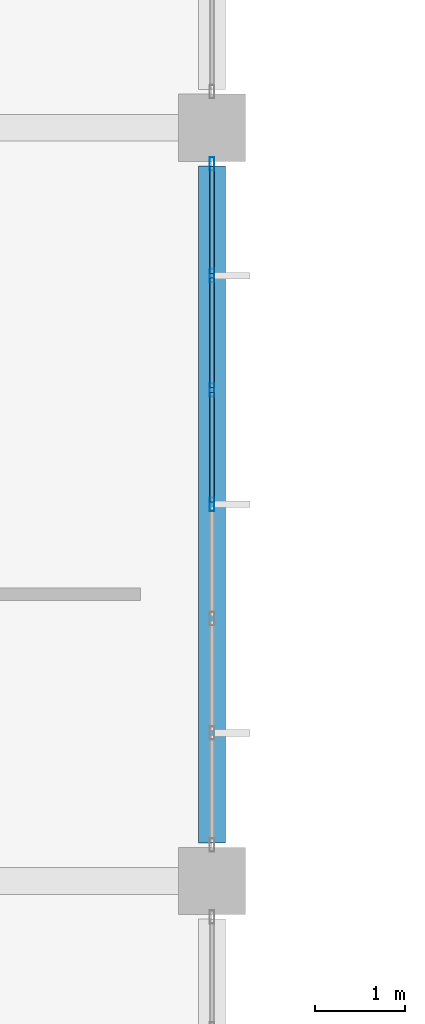
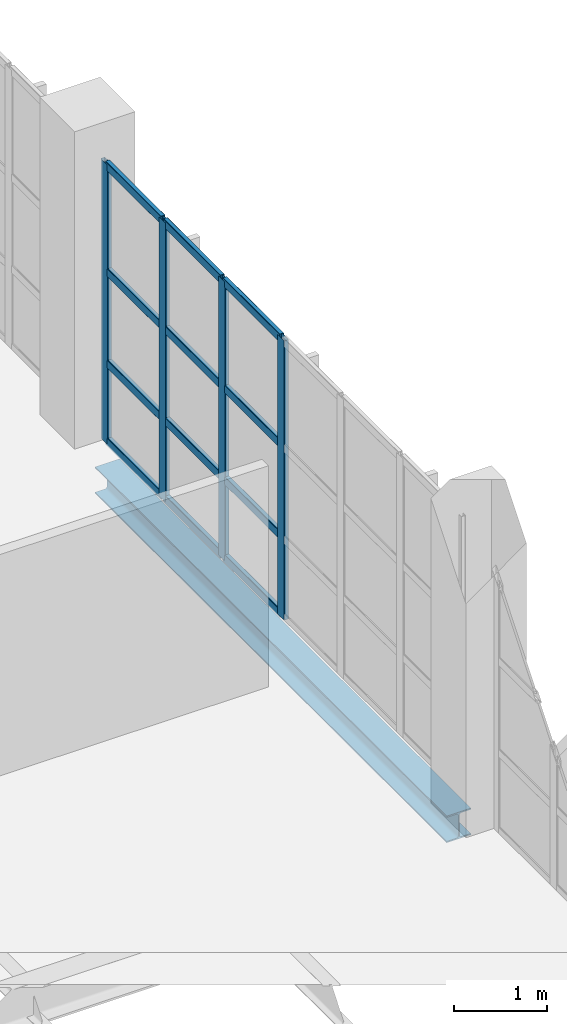
# One storey, part 35 of 177: 16 members, 1 beam, 1 element without a shape of its own.
"""IFC4 building model written with IfcOpenShell, lengths in metres."""

from ifc_helpers import new_model, si_unit, direction, frame, origin, origin_2d, place, context, subcontext, project, spatial, hollow_rectangle, i_section, extrude, material, layer, layer_set, material_profile, profile_set, type_object, element, aggregate, save


model = new_model("IFC4")

# Units and contexts
model_context = context("Model", 3, precision=1e-05, world=origin(), true_north=direction((0.0, 1.0)))
body_context = subcontext(model_context, "Body", "Model", "MODEL_VIEW")
ifc_project = project(units=[si_unit("LENGTHUNIT", "METRE"), si_unit("AREAUNIT", "SQUARE_METRE"), si_unit("VOLUMEUNIT", "CUBIC_METRE"), si_unit("PLANEANGLEUNIT", "RADIAN"), si_unit("MASSUNIT", "GRAM", prefix="KILO"), si_unit("THERMODYNAMICTEMPERATUREUNIT", "KELVIN"), si_unit("POWERUNIT", "WATT")], contexts=[model_context])

# Site, building, storey
site_placement = place(None, origin())
site = spatial("IfcSite", under=ifc_project, at=site_placement, CompositionType="ELEMENT")
building_placement = place(site_placement, origin())
building = spatial("IfcBuilding", under=site, at=building_placement, Name="Mavoryth Pier Ferry Terminal", CompositionType="ELEMENT")
storey_placement = place(building_placement, frame((0.0, 0.0, 5.43994140625)))
storey = spatial("IfcBuildingStorey", under=building, at=storey_placement, Name="L01", CompositionType="ELEMENT", Elevation=5.43994140625)

# Curtain wall, members
ifc_material_1 = material(Name="Anodised Aluminium and Solar-Control Low-E Glass", Category="aluminium")
ifc_layer = layer(ifc_material_1, 0.199951171875, Name="Anodised Aluminium and Solar-Control Low-E Glass", Category="aluminium")
ifc_layer_set = layer_set([ifc_layer], Name="Anodised Aluminium and Solar-Control Low-E Glass - CW-Concourse-Mod1200")
curtain_wall_type = type_object("IfcCurtainWallType", Name="CW-Concourse-Mod1200", PredefinedType="USERDEFINED", material=ifc_layer_set)
curtain_wall_placement = place(storey_placement, origin())
curtain_wall = element("IfcCurtainWall", 1, at=curtain_wall_placement, inside=storey, type_object=curtain_wall_type, Name="Curtain Wall CW-0111-012", ObjectType="UNITISED CURTAIN WALL", PredefinedType="USERDEFINED")
ifc_material_2 = material(Name="Anodised Aluminium EN AW-6063", Category="aluminium")
ifc_material_profile_1 = material_profile(ifc_material_2, hollow_rectangle(XDim=0.054931640625, YDim=0.14990234375, WallThickness=0.00390625, InnerFilletRadius=0.00390625, OuterFilletRadius=0.008056640625, at=origin_2d()), Name="AL-MULL 150x55x4", Category="aluminium")
ifc_profile_set_1 = profile_set([ifc_material_profile_1], Name="Anodised Aluminium EN AW-6063 - AL-MULL 150x55x4")
member_type_1 = type_object("IfcMemberType", Name="Mullion-Alum-150x55", PredefinedType="MULLION", material=ifc_profile_set_1)
member_1_placement = place(storey_placement, frame((33.60009765625, 59.800048828125, 0.0), z_axis=(0.0, 0.0, 1.0), x_axis=(-1.0, 0.0, 0.0)))
member_1 = element("IfcMember", 2, at=member_1_placement, type_object=member_type_1, Name="CW02 mullion 4", PredefinedType="MULLION", context=body_context, shape_type="SweptSolid", body=[
    extrude(hollow_rectangle(XDim=0.054931640625, YDim=0.14990234375, WallThickness=0.00390625, InnerFilletRadius=0.00390625, OuterFilletRadius=0.008056640625, at=origin_2d()), origin(), (0.0, 0.0, 1.0), 3.66015625),
])
member_2_placement = place(storey_placement, frame((33.60009765625, 61.074951171875, 0.0), z_axis=(0.0, 0.0, 1.0), x_axis=(-1.0, 0.0, 0.0)))
member_2 = element("IfcMember", 3, at=member_2_placement, type_object=member_type_1, Name="CW02 mullion 5", PredefinedType="MULLION", context=body_context, shape_type="SweptSolid", body=[
    extrude(hollow_rectangle(XDim=0.054931640625, YDim=0.14990234375, WallThickness=0.00390625, InnerFilletRadius=0.00390625, OuterFilletRadius=0.008056640625, at=origin_2d()), origin(), (0.0, 0.0, 1.0), 3.66015625),
])
member_3_placement = place(storey_placement, frame((33.60009765625, 62.35009765625, 0.0), z_axis=(0.0, 0.0, 1.0), x_axis=(-1.0, 0.0, 0.0)))
member_3 = element("IfcMember", 4, at=member_3_placement, type_object=member_type_1, Name="CW02 mullion 6", PredefinedType="MULLION", context=body_context, shape_type="SweptSolid", body=[
    extrude(hollow_rectangle(XDim=0.054931640625, YDim=0.14990234375, WallThickness=0.00390625, InnerFilletRadius=0.00390625, OuterFilletRadius=0.008056640625, at=origin_2d()), origin(), (0.0, 0.0, 1.0), 3.66015625),
])
member_4_placement = place(storey_placement, frame((33.60009765625, 63.597412109375, 0.0), z_axis=(0.0, 0.0, 1.0), x_axis=(-1.0, 0.0, 0.0)))
member_4 = element("IfcMember", 5, at=member_4_placement, type_object=member_type_1, Name="CW02 mullion 7", PredefinedType="MULLION", context=body_context, shape_type="SweptSolid", body=[
    extrude(hollow_rectangle(XDim=0.054931640625, YDim=0.14990234375, WallThickness=0.00390625, InnerFilletRadius=0.00390625, OuterFilletRadius=0.008056640625, at=origin_2d()), origin(), (0.0, 0.0, 1.0), 3.66015625),
])

# Beam
ifc_material_3 = material(Name="Steel S355J2", Category="steel")
ifc_material_profile_2 = material_profile(ifc_material_3, i_section(OverallWidth=0.300048828125, OverallDepth=0.35009765625, WebThickness=0.010009765625, FlangeThickness=0.017578125, FilletRadius=0.027099609375, at=origin_2d()), Name="HEA 360", Category="steel")
ifc_profile_set_2 = profile_set([ifc_material_profile_2], Name="Steel S355J2 - HEA 360")
beam_type = type_object("IfcBeamType", Name="Spandrel-Steel-HEA360", PredefinedType="SPANDREL", material=ifc_profile_set_2)
beam_placement = place(storey_placement, frame((33.60009765625, 56.02490234375, -0.454833984375), z_axis=(0.0, 1.0, 0.0), x_axis=(-1.0, 0.0, 0.0)))
element("IfcBeam", 6, at=beam_placement, inside=storey, type_object=beam_type, Name="Beam B01-SP03-0105", PredefinedType="SPANDREL", context=body_context, shape_type="SweptSolid", body=[
    extrude(i_section(OverallWidth=0.300048828125, OverallDepth=0.35009765625, WebThickness=0.010009765625, FlangeThickness=0.017578125, FilletRadius=0.027099609375, at=origin_2d()), origin(), (0.0, 0.0, 1.0), 7.550048828125),
])

# Member
ifc_material_profile_3 = material_profile(ifc_material_2, hollow_rectangle(XDim=0.054931640625, YDim=0.110107421875, WallThickness=0.00390625, InnerFilletRadius=0.00390625, OuterFilletRadius=0.008056640625, at=origin_2d()), Name="AL-TRAN 110x55x4", Category="aluminium")
ifc_profile_set_3 = profile_set([ifc_material_profile_3], Name="Anodised Aluminium EN AW-6063 - AL-TRAN 110x55x4")
member_type_2 = type_object("IfcMemberType", Name="Transom-Alum-110x55", PredefinedType="USERDEFINED", material=ifc_profile_set_3)
member_5_placement = place(storey_placement, frame((33.60009765625, 59.827392578125, 0.027587890625), z_axis=(0.0, 1.0, 0.0), x_axis=(-1.0, 0.0, 0.0)))
member_5 = element("IfcMember", 7, at=member_5_placement, type_object=member_type_2, Name="CW02 transom 4.1", ObjectType="TRANSOM", PredefinedType="USERDEFINED", context=body_context, shape_type="SweptSolid", body=[
    extrude(hollow_rectangle(XDim=0.054931640625, YDim=0.110107421875, WallThickness=0.00390625, InnerFilletRadius=0.00390625, OuterFilletRadius=0.008056640625, at=origin_2d()), origin(), (0.0, 0.0, 1.0), 1.22021484375),
])

member_6_placement = place(storey_placement, frame((33.60009765625, 59.827392578125, 1.050048828125), z_axis=(0.0, 1.0, 0.0), x_axis=(-1.0, 0.0, 0.0)))
member_6 = element("IfcMember", 8, at=member_6_placement, type_object=member_type_2, Name="CW02 transom 4.2", ObjectType="TRANSOM", PredefinedType="USERDEFINED", context=body_context, shape_type="SweptSolid", body=[
    extrude(hollow_rectangle(XDim=0.054931640625, YDim=0.110107421875, WallThickness=0.00390625, InnerFilletRadius=0.00390625, OuterFilletRadius=0.008056640625, at=origin_2d()), origin(), (0.0, 0.0, 1.0), 1.22021484375),
])

member_7_placement = place(storey_placement, frame((33.60009765625, 59.827392578125, 2.25), z_axis=(0.0, 1.0, 0.0), x_axis=(-1.0, 0.0, 0.0)))
member_7 = element("IfcMember", 9, at=member_7_placement, type_object=member_type_2, Name="CW02 transom 4.3", ObjectType="TRANSOM", PredefinedType="USERDEFINED", context=body_context, shape_type="SweptSolid", body=[
    extrude(hollow_rectangle(XDim=0.054931640625, YDim=0.110107421875, WallThickness=0.00390625, InnerFilletRadius=0.00390625, OuterFilletRadius=0.008056640625, at=origin_2d()), origin(), (0.0, 0.0, 1.0), 1.22021484375),
])

member_8_placement = place(storey_placement, frame((33.60009765625, 59.827392578125, 3.632568359375), z_axis=(0.0, 1.0, 0.0), x_axis=(-1.0, 0.0, 0.0)))
member_8 = element("IfcMember", 10, at=member_8_placement, type_object=member_type_2, Name="CW02 transom 4.4", ObjectType="TRANSOM", PredefinedType="USERDEFINED", context=body_context, shape_type="SweptSolid", body=[
    extrude(hollow_rectangle(XDim=0.054931640625, YDim=0.110107421875, WallThickness=0.00390625, InnerFilletRadius=0.00390625, OuterFilletRadius=0.008056640625, at=origin_2d()), origin(), (0.0, 0.0, 1.0), 1.22021484375),
])

member_9_placement = place(storey_placement, frame((33.60009765625, 61.1025390625, 0.027587890625), z_axis=(0.0, 1.0, 0.0), x_axis=(-1.0, 0.0, 0.0)))
member_9 = element("IfcMember", 11, at=member_9_placement, type_object=member_type_2, Name="CW02 transom 5.1", ObjectType="TRANSOM", PredefinedType="USERDEFINED", context=body_context, shape_type="SweptSolid", body=[
    extrude(hollow_rectangle(XDim=0.054931640625, YDim=0.110107421875, WallThickness=0.00390625, InnerFilletRadius=0.00390625, OuterFilletRadius=0.008056640625, at=origin_2d()), origin(), (0.0, 0.0, 1.0), 1.219970703125),
])

member_10_placement = place(storey_placement, frame((33.60009765625, 61.1025390625, 1.050048828125), z_axis=(0.0, 1.0, 0.0), x_axis=(-1.0, 0.0, 0.0)))
member_10 = element("IfcMember", 12, at=member_10_placement, type_object=member_type_2, Name="CW02 transom 5.2", ObjectType="TRANSOM", PredefinedType="USERDEFINED", context=body_context, shape_type="SweptSolid", body=[
    extrude(hollow_rectangle(XDim=0.054931640625, YDim=0.110107421875, WallThickness=0.00390625, InnerFilletRadius=0.00390625, OuterFilletRadius=0.008056640625, at=origin_2d()), origin(), (0.0, 0.0, 1.0), 1.219970703125),
])

member_11_placement = place(storey_placement, frame((33.60009765625, 61.1025390625, 2.25), z_axis=(0.0, 1.0, 0.0), x_axis=(-1.0, 0.0, 0.0)))
member_11 = element("IfcMember", 13, at=member_11_placement, type_object=member_type_2, Name="CW02 transom 5.3", ObjectType="TRANSOM", PredefinedType="USERDEFINED", context=body_context, shape_type="SweptSolid", body=[
    extrude(hollow_rectangle(XDim=0.054931640625, YDim=0.110107421875, WallThickness=0.00390625, InnerFilletRadius=0.00390625, OuterFilletRadius=0.008056640625, at=origin_2d()), origin(), (0.0, 0.0, 1.0), 1.219970703125),
])

member_12_placement = place(storey_placement, frame((33.60009765625, 61.1025390625, 3.632568359375), z_axis=(0.0, 1.0, 0.0), x_axis=(-1.0, 0.0, 0.0)))
member_12 = element("IfcMember", 14, at=member_12_placement, type_object=member_type_2, Name="CW02 transom 5.4", ObjectType="TRANSOM", PredefinedType="USERDEFINED", context=body_context, shape_type="SweptSolid", body=[
    extrude(hollow_rectangle(XDim=0.054931640625, YDim=0.110107421875, WallThickness=0.00390625, InnerFilletRadius=0.00390625, OuterFilletRadius=0.008056640625, at=origin_2d()), origin(), (0.0, 0.0, 1.0), 1.219970703125),
])

member_13_placement = place(storey_placement, frame((33.60009765625, 62.37744140625, 0.027587890625), z_axis=(0.0, 1.0, 0.0), x_axis=(-1.0, 0.0, 0.0)))
member_13 = element("IfcMember", 15, at=member_13_placement, type_object=member_type_2, Name="CW02 transom 6.1", ObjectType="TRANSOM", PredefinedType="USERDEFINED", context=body_context, shape_type="SweptSolid", body=[
    extrude(hollow_rectangle(XDim=0.054931640625, YDim=0.110107421875, WallThickness=0.00390625, InnerFilletRadius=0.00390625, OuterFilletRadius=0.008056640625, at=origin_2d()), origin(), (0.0, 0.0, 1.0), 1.192626953125),
])

member_14_placement = place(storey_placement, frame((33.60009765625, 62.37744140625, 1.050048828125), z_axis=(0.0, 1.0, 0.0), x_axis=(-1.0, 0.0, 0.0)))
member_14 = element("IfcMember", 16, at=member_14_placement, type_object=member_type_2, Name="CW02 transom 6.2", ObjectType="TRANSOM", PredefinedType="USERDEFINED", context=body_context, shape_type="SweptSolid", body=[
    extrude(hollow_rectangle(XDim=0.054931640625, YDim=0.110107421875, WallThickness=0.00390625, InnerFilletRadius=0.00390625, OuterFilletRadius=0.008056640625, at=origin_2d()), origin(), (0.0, 0.0, 1.0), 1.192626953125),
])

member_15_placement = place(storey_placement, frame((33.60009765625, 62.37744140625, 2.25), z_axis=(0.0, 1.0, 0.0), x_axis=(-1.0, 0.0, 0.0)))
member_15 = element("IfcMember", 17, at=member_15_placement, type_object=member_type_2, Name="CW02 transom 6.3", ObjectType="TRANSOM", PredefinedType="USERDEFINED", context=body_context, shape_type="SweptSolid", body=[
    extrude(hollow_rectangle(XDim=0.054931640625, YDim=0.110107421875, WallThickness=0.00390625, InnerFilletRadius=0.00390625, OuterFilletRadius=0.008056640625, at=origin_2d()), origin(), (0.0, 0.0, 1.0), 1.192626953125),
])

member_16_placement = place(storey_placement, frame((33.60009765625, 62.37744140625, 3.632568359375), z_axis=(0.0, 1.0, 0.0), x_axis=(-1.0, 0.0, 0.0)))
member_16 = element("IfcMember", 18, at=member_16_placement, type_object=member_type_2, Name="CW02 transom 6.4", ObjectType="TRANSOM", PredefinedType="USERDEFINED", context=body_context, shape_type="SweptSolid", body=[
    extrude(hollow_rectangle(XDim=0.054931640625, YDim=0.110107421875, WallThickness=0.00390625, InnerFilletRadius=0.00390625, OuterFilletRadius=0.008056640625, at=origin_2d()), origin(), (0.0, 0.0, 1.0), 1.192626953125),
])

aggregate(curtain_wall, [member_1, member_2, member_3, member_4, member_5, member_6, member_7, member_8, member_9, member_10, member_11, member_12, member_13, member_14, member_15, member_16])

save(model, "model.ifc")
